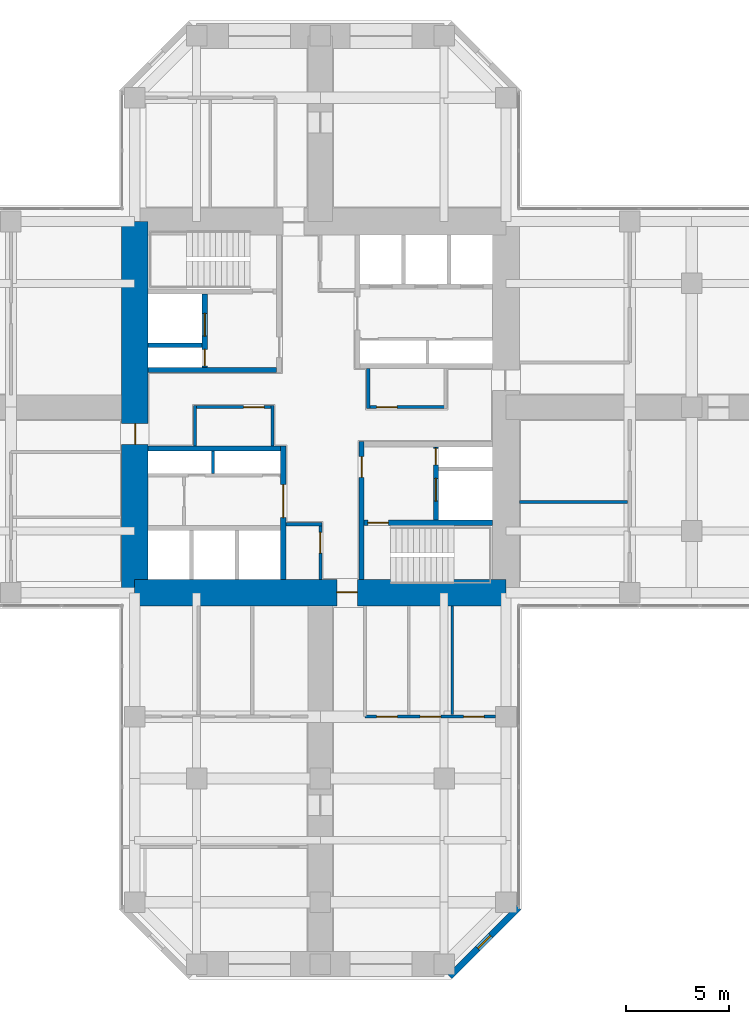
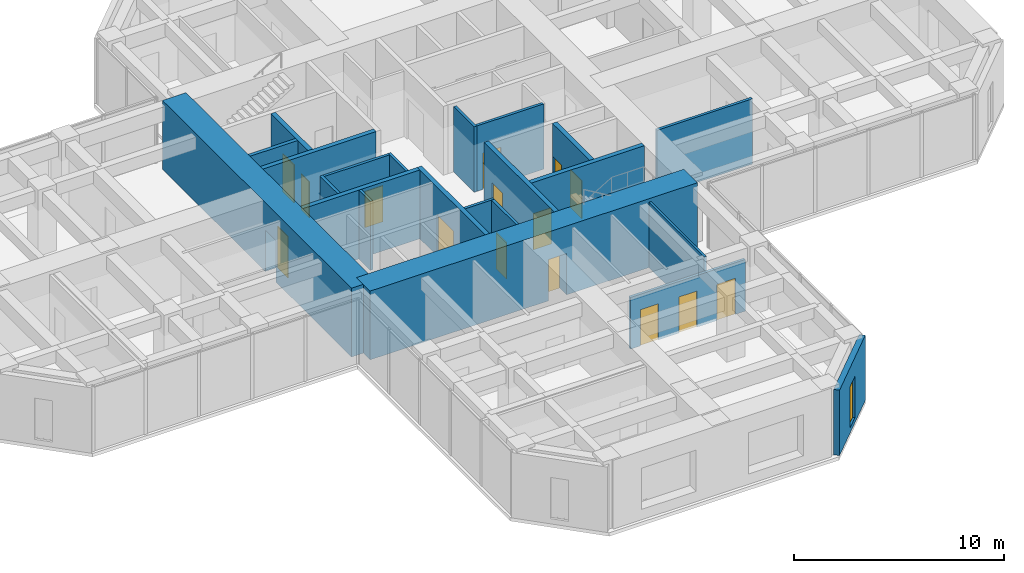
# One storey, part 9 of 12: 22 walls, 15 doors, 1 window, 16 openings.
"""IFC4 building model written with IfcOpenShell, lengths in metres."""

from ifc_helpers import new_model, si_unit, direction, frame, frame_2d, origin, place, context, subcontext, project, spatial, rectangle, hollow_rectangle, extrude, material, layer, layer_set, constituent, constituent_set, type_object, element, fill, save


model = new_model("IFC4")

# Units and contexts
model_context = context("Model", 3, precision=1e-05, world=origin(), true_north=direction((0.0, 1.0)))
body_context = subcontext(model_context, "Body", "Model", "MODEL_VIEW")
ifc_project = project(units=[si_unit("LENGTHUNIT", "METRE"), si_unit("AREAUNIT", "SQUARE_METRE"), si_unit("VOLUMEUNIT", "CUBIC_METRE"), si_unit("PLANEANGLEUNIT", "RADIAN"), si_unit("MASSUNIT", "GRAM", prefix="KILO")], contexts=[model_context])

# Site, building, storey
site_placement = place(None, origin())
site = spatial("IfcSite", under=ifc_project, at=site_placement, CompositionType="ELEMENT")
building_placement = place(site_placement, origin())
building = spatial("IfcBuilding", under=site, at=building_placement, Name="Torre Cruceta", CompositionType="ELEMENT")
storey_placement = place(building_placement, frame((0.0, 0.0, 136.5)))
storey = spatial("IfcBuildingStorey", under=building, at=storey_placement, Name="L33", CompositionType="ELEMENT", Elevation=136.5)

# Wall
ifc_material_1 = material(Name="Concrete G60 (fck 60 MPa)", Category="concrete")
ifc_layer_1 = layer(ifc_material_1, 0.25)
ifc_layer_set_1 = layer_set([ifc_layer_1], Name="Concrete G60 (fck 60 MPa)")
wall_type_1 = type_object("IfcWallType", Name="CORE INNER WALL 250 G60", PredefinedType="SHEAR", material=ifc_layer_set_1)
wall_1_placement = place(storey_placement, frame((-2.125, 1.800048828125, 0.0), z_axis=(0.0, 0.0, 1.0), x_axis=(-1.0, 0.0, 0.0)))
element("IfcWall", 1, at=wall_1_placement, inside=storey, type_object=wall_type_1, Name="CW4 L33 NW-CV", PredefinedType="SHEAR", context=body_context, shape_type="SweptSolid", body=[
    extrude(rectangle(XDim=6.22509765625, YDim=0.25, at=frame_2d((3.112548828125, 0.0))), origin(), (0.0, 0.0, 1.0), 4.0),
])

# Wall, openings, doors
wall_2_placement = place(storey_placement, frame((-5.60009765625, 1.925048828125, 0.0), z_axis=(0.0, 0.0, 1.0), x_axis=(0.0, 1.0, 0.0)))
wall_2 = element("IfcWall", 2, at=wall_2_placement, inside=storey, type_object=wall_type_1, Name="CW4 L33 NW-FU", PredefinedType="SHEAR", context=body_context, shape_type="SweptSolid", body=[
    extrude(rectangle(XDim=3.550048828125, YDim=0.25, at=frame_2d((1.77490234375, 0.0))), origin(), (0.0, 0.0, 1.0), 4.0),
])
opening_1_placement = place(wall_2_placement, frame((1.52490234375, 0.0, 0.0)))
opening_1 = element("IfcOpeningElement", 3, at=opening_1_placement, cuts=wall_2, Name="Opening LD1", PredefinedType="OPENING", context=body_context, shape_type="SweptSolid", body=[
    extrude(rectangle(XDim=1.10009765625, YDim=2.199951171875, at=frame_2d((0.550048828125, 1.10009765625))), frame((0.0, 0.135009765625, 0.0), z_axis=(0.0, -1.0, 0.0), x_axis=(1.0, 0.0, 0.0)), (0.0, 0.0, 1.0), 0.27001953125),
])
opening_2_placement = place(wall_2_placement, frame((0.074951171875, 0.0, 0.0)))
opening_2 = element("IfcOpeningElement", 4, at=opening_2_placement, cuts=wall_2, Name="Opening D5", PredefinedType="OPENING", context=body_context, shape_type="SweptSolid", body=[
    extrude(rectangle(XDim=0.800048828125, YDim=2.10009765625, at=frame_2d((0.39990234375, 1.050048828125))), frame((0.0, 0.135009765625, 0.0), z_axis=(0.0, -1.0, 0.0), x_axis=(1.0, 0.0, 0.0)), (0.0, 0.0, 1.0), 0.27001953125),
])
ifc_material_2 = material(Name="Stainless steel 1.4401", Category="steel")
door_type_1 = type_object("IfcDoorType", Name="LIFT LANDING DOOR 1100X2200", OperationType="DOUBLE_DOOR_SLIDING", PredefinedType="DOOR", material=ifc_material_2)
door_1_placement = place(opening_1_placement, origin())
door_1 = element("IfcDoor", 5, at=door_1_placement, inside=storey, type_object=door_type_1, Name="Lift landing door FL1", OperationType="DOUBLE_DOOR_SLIDING", OverallHeight=2.199951171875, OverallWidth=1.10009765625, PredefinedType="DOOR", context=body_context, shape_type="SweptSolid", body=[
    extrude(rectangle(XDim=1.10009765625, YDim=2.199951171875, at=frame_2d((0.550048828125, 1.10009765625))), frame((0.0, 0.02490234375, 0.0), z_axis=(0.0, -1.0, 0.0), x_axis=(1.0, 0.0, 0.0)), (0.0, 0.0, 1.0), 0.050048828125),
])
fill(opening_1, door_1)
ifc_material_3 = material(Name="Steel DX51D", Category="steel")
ifc_constituent_1 = constituent(ifc_material_3, Name="Leaf and frame")
ifc_material_4 = material(Name="Polyester powder coating", Category="paint")
ifc_constituent_2 = constituent(ifc_material_4, Name="Finish")
ifc_constituent_set_1 = constituent_set(constituents=[ifc_constituent_1, ifc_constituent_2], Name="Steel fire door")
door_type_2 = type_object("IfcDoorType", Name="RISER ACCESS DOOR 800X2100", OperationType="SINGLE_SWING_LEFT", PredefinedType="DOOR", material=ifc_constituent_set_1)
door_2_placement = place(opening_2_placement, origin())
door_2 = element("IfcDoor", 6, at=door_2_placement, inside=storey, type_object=door_type_2, Name="D5 L33 NW-RISER", OperationType="SINGLE_SWING_LEFT", OverallHeight=2.10009765625, OverallWidth=0.800048828125, PredefinedType="DOOR", context=body_context, shape_type="SweptSolid", body=[
    extrude(rectangle(XDim=0.800048828125, YDim=2.10009765625, at=frame_2d((0.39990234375, 1.050048828125))), frame((0.0, 0.02490234375, 0.0), z_axis=(0.0, -1.0, 0.0), x_axis=(1.0, 0.0, 0.0)), (0.0, 0.0, 1.0), 0.050048828125),
])
fill(opening_2, door_2)

# Wall, opening, door
wall_3_placement = place(storey_placement, frame((-1.800048828125, -1.875, 0.0), z_axis=(0.0, 0.0, 1.0), x_axis=(0.0, -1.0, 0.0)))
wall_3 = element("IfcWall", 7, at=wall_3_placement, inside=storey, type_object=wall_type_1, Name="CW4 L33 SW-CU", PredefinedType="SHEAR", context=body_context, shape_type="SweptSolid", body=[
    extrude(rectangle(XDim=6.47509765625, YDim=0.25, at=frame_2d((3.237548828125, 0.0))), origin(), (0.0, 0.0, 1.0), 4.0),
])
opening_3_placement = place(wall_3_placement, frame((1.875, 0.0, 0.0)))
opening_3 = element("IfcOpeningElement", 8, at=opening_3_placement, cuts=wall_3, Name="Opening D15", PredefinedType="OPENING", context=body_context, shape_type="SweptSolid", body=[
    extrude(rectangle(XDim=1.60009765625, YDim=2.39990234375, at=frame_2d((0.800048828125, 1.199951171875))), frame((0.0, 0.135009765625, 0.0), z_axis=(0.0, -1.0, 0.0), x_axis=(1.0, 0.0, 0.0)), (0.0, 0.0, 1.0), 0.27001953125),
])
ifc_material_5 = material(Name="Steel DX51D", Category="steel")
ifc_constituent_3 = constituent(ifc_material_5, Name="Leaf and frame")
ifc_material_6 = material(Name="Polyester powder coating", Category="paint")
ifc_constituent_4 = constituent(ifc_material_6, Name="Finish")
ifc_constituent_set_2 = constituent_set(constituents=[ifc_constituent_3, ifc_constituent_4], Name="Steel fire door")
door_type_3 = type_object("IfcDoorType", Name="CORE ROOM DOUBLE DOOR 1600X2400", OperationType="DOUBLE_DOOR_SINGLE_SWING", PredefinedType="DOOR", material=ifc_constituent_set_2)
door_3_placement = place(opening_3_placement, frame((1.60009765625, 0.0, 0.0), z_axis=(0.0, 0.0, 1.0), x_axis=(-1.0, 0.0, 0.0)))
door_3 = element("IfcDoor", 9, at=door_3_placement, inside=storey, type_object=door_type_3, Name="D15 L33 SW-LOBBY", OperationType="DOUBLE_DOOR_SINGLE_SWING", OverallHeight=2.39990234375, OverallWidth=1.60009765625, PredefinedType="DOOR", context=body_context, shape_type="SweptSolid", body=[
    extrude(rectangle(XDim=1.60009765625, YDim=2.39990234375, at=frame_2d((0.800048828125, 1.199951171875))), frame((0.0, 0.025146484375, 0.0), z_axis=(0.0, -1.0, 0.0), x_axis=(1.0, 0.0, 0.0)), (0.0, 0.0, 1.0), 0.050048828125),
])
fill(opening_3, door_3)

# Wall
wall_4_placement = place(storey_placement, frame((-1.925048828125, -2.0, 0.0), z_axis=(0.0, 0.0, 1.0), x_axis=(-1.0, 0.0, 0.0)))
element("IfcWall", 10, at=wall_4_placement, inside=storey, type_object=wall_type_1, Name="CW4 L33 SW-CV", PredefinedType="SHEAR", context=body_context, shape_type="SweptSolid", body=[
    extrude(rectangle(XDim=6.425048828125, YDim=0.25, at=frame_2d((3.21240234375, 0.0))), origin(), (0.0, 0.0, 1.0), 4.0),
])

# Wall, opening, door
wall_5_placement = place(storey_placement, frame((2.0, -1.675048828125, 0.0), z_axis=(0.0, 0.0, 1.0), x_axis=(0.0, -1.0, 0.0)))
wall_5 = element("IfcWall", 11, at=wall_5_placement, inside=storey, type_object=wall_type_1, Name="CW4 L33 SE-CU", PredefinedType="SHEAR", context=body_context, shape_type="SweptSolid", body=[
    extrude(rectangle(XDim=6.675048828125, YDim=0.25, at=frame_2d((3.33740234375, 0.0))), origin(), (0.0, 0.0, 1.0), 4.0),
])
opening_4_placement = place(wall_5_placement, frame((0.72509765625, 0.0, 0.0)))
opening_4 = element("IfcOpeningElement", 12, at=opening_4_placement, cuts=wall_5, Name="Opening D3", PredefinedType="OPENING", context=body_context, shape_type="SweptSolid", body=[
    extrude(rectangle(XDim=1.0, YDim=2.10009765625, at=frame_2d((0.5, 1.050048828125))), frame((0.0, 0.135009765625, 0.0), z_axis=(0.0, -1.0, 0.0), x_axis=(1.0, 0.0, 0.0)), (0.0, 0.0, 1.0), 0.27001953125),
])
ifc_material_7 = material(Name="Steel DX51D", Category="steel")
ifc_constituent_5 = constituent(ifc_material_7, Name="Leaf and frame")
ifc_material_8 = material(Name="Polyester powder coating", Category="paint")
ifc_constituent_6 = constituent(ifc_material_8, Name="Finish")
ifc_constituent_set_3 = constituent_set(constituents=[ifc_constituent_5, ifc_constituent_6], Name="Steel fire door")
door_type_4 = type_object("IfcDoorType", Name="FIRE DOOR 1000X2100", OperationType="SINGLE_SWING_LEFT", PredefinedType="DOOR", material=ifc_constituent_set_3)
door_4_placement = place(opening_4_placement, origin())
door_4 = element("IfcDoor", 13, at=door_4_placement, inside=storey, type_object=door_type_4, Name="D3 L33 SE-LOBBY", OperationType="SINGLE_SWING_LEFT", OverallHeight=2.10009765625, OverallWidth=1.0, PredefinedType="DOOR", context=body_context, shape_type="SweptSolid", body=[
    extrude(rectangle(XDim=1.0, YDim=2.10009765625, at=frame_2d((0.5, 1.050048828125))), frame((0.0, 0.02490234375, 0.0), z_axis=(0.0, -1.0, 0.0), x_axis=(1.0, 0.0, 0.0)), (0.0, 0.0, 1.0), 0.050048828125),
])
fill(opening_4, door_4)

wall_6_placement = place(storey_placement, frame((2.125, -5.60009765625, 0.0), z_axis=(0.0, 0.0, 1.0), x_axis=(1.0, 0.0, 0.0)))
wall_6 = element("IfcWall", 14, at=wall_6_placement, inside=storey, type_object=wall_type_1, Name="CW4 L33 SE-SV", PredefinedType="SHEAR", context=body_context, shape_type="SweptSolid", body=[
    extrude(rectangle(XDim=6.22509765625, YDim=0.25, at=frame_2d((3.112548828125, 0.0))), origin(), (0.0, 0.0, 1.0), 4.0),
])
opening_5_placement = place(wall_6_placement, frame((0.175048828125, 0.0, 0.0)))
opening_5 = element("IfcOpeningElement", 15, at=opening_5_placement, cuts=wall_6, Name="Opening D3", PredefinedType="OPENING", context=body_context, shape_type="SweptSolid", body=[
    extrude(rectangle(XDim=1.0, YDim=2.10009765625, at=frame_2d((0.5, 1.050048828125))), frame((0.0, 0.135009765625, 0.0), z_axis=(0.0, -1.0, 0.0), x_axis=(1.0, 0.0, 0.0)), (0.0, 0.0, 1.0), 0.27001953125),
])
door_5_placement = place(opening_5_placement, frame((1.0, 0.0, 0.0), z_axis=(0.0, 0.0, 1.0), x_axis=(-1.0, 0.0, 0.0)))
door_5 = element("IfcDoor", 16, at=door_5_placement, inside=storey, type_object=door_type_4, Name="D3 L33 SE-STAIR", OperationType="SINGLE_SWING_RIGHT", OverallHeight=2.10009765625, OverallWidth=1.0, PredefinedType="DOOR", context=body_context, shape_type="SweptSolid", body=[
    extrude(rectangle(XDim=1.0, YDim=2.10009765625, at=frame_2d((0.5, 1.050048828125))), frame((0.0, 0.025146484375, 0.0), z_axis=(0.0, -1.0, 0.0), x_axis=(1.0, 0.0, 0.0)), (0.0, 0.0, 1.0), 0.050048828125),
])
fill(opening_5, door_5)

# Wall, openings, doors
wall_7_placement = place(storey_placement, frame((5.60009765625, -1.925048828125, 0.0), z_axis=(0.0, 0.0, 1.0), x_axis=(0.0, -1.0, 0.0)))
wall_7 = element("IfcWall", 17, at=wall_7_placement, inside=storey, type_object=wall_type_1, Name="CW4 L33 SE-FU", PredefinedType="SHEAR", context=body_context, shape_type="SweptSolid", body=[
    extrude(rectangle(XDim=3.550048828125, YDim=0.25, at=frame_2d((1.77490234375, 0.0))), origin(), (0.0, 0.0, 1.0), 4.0),
])
opening_6_placement = place(wall_7_placement, frame((1.52490234375, 0.0, 0.0)))
opening_6 = element("IfcOpeningElement", 18, at=opening_6_placement, cuts=wall_7, Name="Opening LD1", PredefinedType="OPENING", context=body_context, shape_type="SweptSolid", body=[
    extrude(rectangle(XDim=1.10009765625, YDim=2.199951171875, at=frame_2d((0.550048828125, 1.10009765625))), frame((0.0, 0.135009765625, 0.0), z_axis=(0.0, -1.0, 0.0), x_axis=(1.0, 0.0, 0.0)), (0.0, 0.0, 1.0), 0.27001953125),
])
opening_7_placement = place(wall_7_placement, frame((0.074951171875, 0.0, 0.0)))
opening_7 = element("IfcOpeningElement", 19, at=opening_7_placement, cuts=wall_7, Name="Opening D5", PredefinedType="OPENING", context=body_context, shape_type="SweptSolid", body=[
    extrude(rectangle(XDim=0.800048828125, YDim=2.10009765625, at=frame_2d((0.39990234375, 1.050048828125))), frame((0.0, 0.135009765625, 0.0), z_axis=(0.0, -1.0, 0.0), x_axis=(1.0, 0.0, 0.0)), (0.0, 0.0, 1.0), 0.27001953125),
])
door_6_placement = place(opening_6_placement, origin())
door_6 = element("IfcDoor", 20, at=door_6_placement, inside=storey, type_object=door_type_1, Name="Lift landing door FL2", OperationType="DOUBLE_DOOR_SLIDING", OverallHeight=2.199951171875, OverallWidth=1.10009765625, PredefinedType="DOOR", context=body_context, shape_type="SweptSolid", body=[
    extrude(rectangle(XDim=1.10009765625, YDim=2.199951171875, at=frame_2d((0.550048828125, 1.10009765625))), frame((0.0, 0.02490234375, 0.0), z_axis=(0.0, -1.0, 0.0), x_axis=(1.0, 0.0, 0.0)), (0.0, 0.0, 1.0), 0.050048828125),
])
fill(opening_6, door_6)
door_7_placement = place(opening_7_placement, origin())
door_7 = element("IfcDoor", 21, at=door_7_placement, inside=storey, type_object=door_type_2, Name="D5 L33 SE-RISER", OperationType="SINGLE_SWING_LEFT", OverallHeight=2.10009765625, OverallWidth=0.800048828125, PredefinedType="DOOR", context=body_context, shape_type="SweptSolid", body=[
    extrude(rectangle(XDim=0.800048828125, YDim=2.10009765625, at=frame_2d((0.39990234375, 1.050048828125))), frame((0.0, 0.02490234375, 0.0), z_axis=(0.0, -1.0, 0.0), x_axis=(1.0, 0.0, 0.0)), (0.0, 0.0, 1.0), 0.050048828125),
])
fill(opening_7, door_7)

# Wall, opening, door
ifc_material_9 = material(Name="Concrete G60 (fck 60 MPa)", Category="concrete")
ifc_layer_2 = layer(ifc_material_9, 1.300048828125)
ifc_layer_set_2 = layer_set([ifc_layer_2], Name="Concrete G60 (fck 60 MPa)")
wall_type_2 = type_object("IfcWallType", Name="CORE WALL 1300 G60", PredefinedType="SHEAR", material=ifc_layer_set_2)
wall_8_placement = place(storey_placement, frame((-9.0, -9.0, 0.0), z_axis=(0.0, 0.0, 1.0), x_axis=(1.0, 0.0, 0.0)))
wall_8 = element("IfcWall", 22, at=wall_8_placement, inside=storey, type_object=wall_type_2, Name="CW1 L33 CW-S", PredefinedType="SHEAR", context=body_context, shape_type="SweptSolid", body=[
    extrude(rectangle(XDim=18.0, YDim=1.300048828125, at=frame_2d((9.0, 0.0))), origin(), (0.0, 0.0, 1.0), 4.0),
])
opening_8_placement = place(wall_8_placement, frame((9.800048828125, 0.0, 0.0)))
opening_8 = element("IfcOpeningElement", 23, at=opening_8_placement, cuts=wall_8, Name="Opening D4", PredefinedType="OPENING", context=body_context, shape_type="SweptSolid", body=[
    extrude(rectangle(XDim=1.0, YDim=2.39990234375, at=frame_2d((0.5, 1.199951171875))), frame((0.0, 0.659912109375, 0.0), z_axis=(0.0, -1.0, 0.0), x_axis=(1.0, 0.0, 0.0)), (0.0, 0.0, 1.0), 1.320068359375),
])
ifc_material_10 = material(Name="Steel DX51D", Category="steel")
ifc_constituent_7 = constituent(ifc_material_10, Name="Leaf and frame")
ifc_material_11 = material(Name="Polyester powder coating", Category="paint")
ifc_constituent_8 = constituent(ifc_material_11, Name="Finish")
ifc_constituent_set_4 = constituent_set(constituents=[ifc_constituent_7, ifc_constituent_8], Name="Steel fire door")
door_type_5 = type_object("IfcDoorType", Name="CORE ARM DOOR 1000X2400", OperationType="SINGLE_SWING_RIGHT", PredefinedType="DOOR", material=ifc_constituent_set_4)
door_8_placement = place(opening_8_placement, frame((1.0, 0.0, 0.0), z_axis=(0.0, 0.0, 1.0), x_axis=(-1.0, 0.0, 0.0)))
door_8 = element("IfcDoor", 24, at=door_8_placement, inside=storey, type_object=door_type_5, Name="D4 L33 CW-S", OperationType="SINGLE_SWING_RIGHT", OverallHeight=2.39990234375, OverallWidth=1.0, PredefinedType="DOOR", context=body_context, shape_type="SweptSolid", body=[
    extrude(rectangle(XDim=1.0, YDim=2.39990234375, at=frame_2d((0.5, 1.199951171875))), frame((0.0, -0.005126953125, 0.0), z_axis=(0.0, -1.0, 0.0), x_axis=(1.0, 0.0, 0.0)), (0.0, 0.0, 1.0), 0.050048828125),
])
fill(opening_8, door_8)

wall_9_placement = place(storey_placement, frame((-9.0, 9.0, 0.0), z_axis=(0.0, 0.0, 1.0), x_axis=(0.0, -1.0, 0.0)))
wall_9 = element("IfcWall", 25, at=wall_9_placement, inside=storey, type_object=wall_type_2, Name="CW1 L33 CW-W", PredefinedType="SHEAR", context=body_context, shape_type="SweptSolid", body=[
    extrude(rectangle(XDim=18.0, YDim=1.300048828125, at=frame_2d((9.0, 0.0))), origin(), (0.0, 0.0, 1.0), 4.0),
])
opening_9_placement = place(wall_9_placement, frame((9.800048828125, 0.0, 0.0)))
opening_9 = element("IfcOpeningElement", 26, at=opening_9_placement, cuts=wall_9, Name="Opening D4", PredefinedType="OPENING", context=body_context, shape_type="SweptSolid", body=[
    extrude(rectangle(XDim=1.0, YDim=2.39990234375, at=frame_2d((0.5, 1.199951171875))), frame((0.0, 0.659912109375, 0.0), z_axis=(0.0, -1.0, 0.0), x_axis=(1.0, 0.0, 0.0)), (0.0, 0.0, 1.0), 1.320068359375),
])
door_9_placement = place(opening_9_placement, frame((1.0, 0.0, 0.0), z_axis=(0.0, 0.0, 1.0), x_axis=(-1.0, 0.0, 0.0)))
door_9 = element("IfcDoor", 27, at=door_9_placement, inside=storey, type_object=door_type_5, Name="D4 L33 CW-W", OperationType="SINGLE_SWING_RIGHT", OverallHeight=2.39990234375, OverallWidth=1.0, PredefinedType="DOOR", context=body_context, shape_type="SweptSolid", body=[
    extrude(rectangle(XDim=1.0, YDim=2.39990234375, at=frame_2d((0.5, 1.199951171875))), frame((0.0, -0.005126953125, 0.0), z_axis=(0.0, -1.0, 0.0), x_axis=(1.0, 0.0, 0.0)), (0.0, 0.0, 1.0), 0.050048828125),
])
fill(opening_9, door_9)

# Wall, opening, window
ifc_material_12 = material(Name="Concrete G30 (fck 30 MPa)", Category="concrete")
ifc_layer_3 = layer(ifc_material_12, 0.300048828125)
ifc_layer_set_3 = layer_set([ifc_layer_3], Name="Concrete G30 (fck 30 MPa)")
wall_type_3 = type_object("IfcWallType", Name="EXPOSED CONCRETE FACADE WALL 300", PredefinedType="SOLIDWALL", material=ifc_layer_set_3)
wall_10_placement = place(storey_placement, frame((6.27685546875, -27.60009765625, 0.0), z_axis=(0.0, 0.0, 1.0), x_axis=(0.707106781187, 0.707106781187, 0.0)))
wall_10 = element("IfcWall", 28, at=wall_10_placement, inside=storey, type_object=wall_type_3, Name="EW1 facade wall L33 S chamfer 18", PredefinedType="SOLIDWALL", context=body_context, shape_type="SweptSolid", body=[
    extrude(rectangle(XDim=4.72802734375, YDim=0.300048828125, at=frame_2d((2.364013671875, 0.0))), origin(), (0.0, 0.0, 1.0), 3.800048828125),
])
opening_10_placement = place(wall_10_placement, frame((1.9140625, 0.0, 0.300048828125)))
opening_10 = element("IfcOpeningElement", 29, at=opening_10_placement, cuts=wall_10, Name="Opening WN5", PredefinedType="OPENING", context=body_context, shape_type="SweptSolid", body=[
    extrude(rectangle(XDim=0.89990234375, YDim=2.39990234375, at=frame_2d((0.449951171875, 1.199951171875))), frame((0.0, 0.159912109375, 0.0), z_axis=(0.0, -1.0, 0.0), x_axis=(1.0, 0.0, 0.0)), (0.0, 0.0, 1.0), 0.320068359375),
])
ifc_material_13 = material(Name="Aluminium window frame", Category="aluminium")
ifc_constituent_9 = constituent(ifc_material_13, Name="Frame")
ifc_material_14 = material(Name="Laminated insulating glass unit, low-iron clear", Category="glass")
ifc_constituent_10 = constituent(ifc_material_14, Name="Glazing")
ifc_constituent_set_5 = constituent_set(constituents=[ifc_constituent_9, ifc_constituent_10], Name="Aluminium window")
window_type = type_object("IfcWindowType", Name="CHAMFER SLOT WINDOW 900X2400", PartitioningType="SINGLE_PANEL", PredefinedType="WINDOW", material=ifc_constituent_set_5)
window_placement = place(opening_10_placement, origin())
window = element("IfcWindow", 30, at=window_placement, inside=storey, type_object=window_type, Name="WN5 L33 S 1", OverallHeight=2.39990234375, OverallWidth=0.89990234375, PartitioningType="SINGLE_PANEL", PredefinedType="WINDOW", context=body_context, shape_type="SweptSolid", body=[
    extrude(hollow_rectangle(XDim=0.89990234375, YDim=2.39990234375, WallThickness=0.06005859375, at=frame_2d((0.449951171875, 1.199951171875))), frame((0.0, 0.030029296875, 0.0), z_axis=(0.0, -1.0, 0.0), x_axis=(1.0, 0.0, 0.0)), (0.0, 0.0, 1.0), 0.06005859375),
    extrude(rectangle(XDim=0.77880859375, YDim=2.27880859375, at=frame_2d((0.449951171875, 1.199951171875))), frame((0.0, 0.030029296875, 0.0), z_axis=(0.0, -1.0, 0.0), x_axis=(1.0, 0.0, 0.0)), (0.0, 0.0, 1.0), 0.06005859375),
])
fill(opening_10, window)

# Wall
ifc_material_15 = material(Name="Concrete G35 (fck 35 MPa)", Category="concrete")
ifc_layer_4 = layer(ifc_material_15, 0.199951171875)
ifc_layer_set_4 = layer_set([ifc_layer_4], Name="Concrete G35 (fck 35 MPa)")
wall_type_4 = type_object("IfcWallType", Name="LIFT SHAFT WALL 200", PredefinedType="PARTITIONING", material=ifc_layer_set_4)
wall_11_placement = place(storey_placement, frame((-5.72509765625, 3.0, 0.0), z_axis=(0.0, 0.0, 1.0), x_axis=(-1.0, 0.0, 0.0)))
element("IfcWall", 31, at=wall_11_placement, inside=storey, type_object=wall_type_4, Name="SW1 L33 NW-FR", PredefinedType="PARTITIONING", context=body_context, shape_type="SweptSolid", body=[
    extrude(rectangle(XDim=2.625, YDim=0.199951171875, at=frame_2d((1.3125, 0.0))), origin(), (0.0, 0.0, 1.0), 4.0),
])

# Wall, opening, door
ifc_material_16 = material(Name="Plasterboard on steel studs", Category="steel")
ifc_layer_5 = layer(ifc_material_16, 0.14990234375)
ifc_layer_set_5 = layer_set([ifc_layer_5], Name="Plasterboard on steel studs")
wall_type_5 = type_object("IfcWallType", Name="PARTITION 150", PredefinedType="PARTITIONING", material=ifc_layer_set_5)
wall_12_placement = place(storey_placement, frame((2.324951171875, 0.0, 0.0), z_axis=(0.0, 0.0, 1.0), x_axis=(1.0, 0.0, 0.0)))
wall_12 = element("IfcWall", 32, at=wall_12_placement, inside=storey, type_object=wall_type_5, Name="PT1 L33-CORE-LEGE-N-W1", PredefinedType="PARTITIONING", context=body_context, shape_type="SweptSolid", body=[
    extrude(rectangle(XDim=3.75, YDim=0.14990234375, at=frame_2d((1.875, 0.0))), origin(), (0.0, 0.0, 1.0), 3.800048828125),
])
opening_11_placement = place(wall_12_placement, frame((0.39990234375, 0.0, 0.0)))
opening_11 = element("IfcOpeningElement", 33, at=opening_11_placement, cuts=wall_12, Name="Opening D3", PredefinedType="OPENING", context=body_context, shape_type="SweptSolid", body=[
    extrude(rectangle(XDim=1.0, YDim=2.10009765625, at=frame_2d((0.5, 1.050048828125))), frame((0.0, 0.0849609375, 0.0), z_axis=(0.0, -1.0, 0.0), x_axis=(1.0, 0.0, 0.0)), (0.0, 0.0, 1.0), 0.169921875),
])
door_10_placement = place(opening_11_placement, origin())
door_10 = element("IfcDoor", 34, at=door_10_placement, inside=storey, type_object=door_type_4, Name="D3 L33-CORE-LEGE-N-W1-D1", OperationType="SINGLE_SWING_LEFT", OverallHeight=2.10009765625, OverallWidth=1.0, PredefinedType="DOOR", context=body_context, shape_type="SweptSolid", body=[
    extrude(rectangle(XDim=1.0, YDim=2.10009765625, at=frame_2d((0.5, 1.050048828125))), frame((0.0, 0.02490234375, 0.0), z_axis=(0.0, -1.0, 0.0), x_axis=(1.0, 0.0, 0.0)), (0.0, 0.0, 1.0), 0.050048828125),
])
fill(opening_11, door_10)

# Wall
wall_13_placement = place(storey_placement, frame((2.324951171875, 1.875, 0.0), z_axis=(0.0, 0.0, 1.0), x_axis=(0.0, -1.0, 0.0)))
element("IfcWall", 35, at=wall_13_placement, inside=storey, type_object=wall_type_5, Name="PT1 L33-CORE-LEGE-N-W2", PredefinedType="PARTITIONING", context=body_context, shape_type="SweptSolid", body=[
    extrude(rectangle(XDim=1.949951171875, YDim=0.14990234375, at=frame_2d((0.97509765625, 0.0))), origin(), (0.0, 0.0, 1.0), 3.800048828125),
])

# Wall, opening, door
wall_14_placement = place(storey_placement, frame((-2.324951171875, 0.0, 0.0), z_axis=(0.0, 0.0, 1.0), x_axis=(-1.0, 0.0, 0.0)))
wall_14 = element("IfcWall", 36, at=wall_14_placement, inside=storey, type_object=wall_type_5, Name="PT1 L33-CORE-LEGW-S-W1", PredefinedType="PARTITIONING", context=body_context, shape_type="SweptSolid", body=[
    extrude(rectangle(XDim=3.75, YDim=0.14990234375, at=frame_2d((1.875, 0.0))), origin(), (0.0, 0.0, 1.0), 3.800048828125),
])
opening_12_placement = place(wall_14_placement, frame((0.39990234375, 0.0, 0.0)))
opening_12 = element("IfcOpeningElement", 37, at=opening_12_placement, cuts=wall_14, Name="Opening D3", PredefinedType="OPENING", context=body_context, shape_type="SweptSolid", body=[
    extrude(rectangle(XDim=1.0, YDim=2.10009765625, at=frame_2d((0.5, 1.050048828125))), frame((0.0, 0.0849609375, 0.0), z_axis=(0.0, -1.0, 0.0), x_axis=(1.0, 0.0, 0.0)), (0.0, 0.0, 1.0), 0.169921875),
])
door_11_placement = place(opening_12_placement, origin())
door_11 = element("IfcDoor", 38, at=door_11_placement, inside=storey, type_object=door_type_4, Name="D3 L33-CORE-LEGW-S-W1-D1", OperationType="SINGLE_SWING_LEFT", OverallHeight=2.10009765625, OverallWidth=1.0, PredefinedType="DOOR", context=body_context, shape_type="SweptSolid", body=[
    extrude(rectangle(XDim=1.0, YDim=2.10009765625, at=frame_2d((0.5, 1.050048828125))), frame((0.0, 0.02490234375, 0.0), z_axis=(0.0, -1.0, 0.0), x_axis=(1.0, 0.0, 0.0)), (0.0, 0.0, 1.0), 0.050048828125),
])
fill(opening_12, door_11)

# Walls
for number, where, z_axis, x_axis, name in (
    (39, (-2.324951171875, -1.875, 0.0), (0.0, 0.0, 1.0), (0.0, 1.0, 0.0), "PT1 L33-CORE-LEGW-S-W2"),
    (40, (-6.074951171875, 0.074951171875, 0.0), (0.0, 0.0, 1.0), (0.0, -1.0, 0.0), "PT1 L33-CORE-LEGW-S-W3"),
):
    element("IfcWall", number, at=place(storey_placement, frame(where, z_axis=z_axis, x_axis=x_axis)), inside=storey, type_object=wall_type_5, Name=name, PredefinedType="PARTITIONING", context=body_context, shape_type="SweptSolid", body=[
        extrude(rectangle(XDim=1.949951171875, YDim=0.14990234375, at=frame_2d((0.97509765625, 0.0))), origin(), (0.0, 0.0, 1.0), 3.800048828125),
    ])

# Wall, opening, door
wall_15_placement = place(storey_placement, frame((0.0, -5.675048828125, 0.0), z_axis=(0.0, 0.0, 1.0), x_axis=(0.0, -1.0, 0.0)))
wall_15 = element("IfcWall", 41, at=wall_15_placement, inside=storey, type_object=wall_type_5, Name="PT1 L33-CORE-LEGS-W-W1", PredefinedType="PARTITIONING", context=body_context, shape_type="SweptSolid", body=[
    extrude(rectangle(XDim=2.675048828125, YDim=0.14990234375, at=frame_2d((1.33740234375, 0.0))), origin(), (0.0, 0.0, 1.0), 3.800048828125),
])
opening_13_placement = place(wall_15_placement, frame((0.39990234375, 0.0, 0.0)))
opening_13 = element("IfcOpeningElement", 42, at=opening_13_placement, cuts=wall_15, Name="Opening D3", PredefinedType="OPENING", context=body_context, shape_type="SweptSolid", body=[
    extrude(rectangle(XDim=1.0, YDim=2.10009765625, at=frame_2d((0.5, 1.050048828125))), frame((0.0, 0.0849609375, 0.0), z_axis=(0.0, -1.0, 0.0), x_axis=(1.0, 0.0, 0.0)), (0.0, 0.0, 1.0), 0.169921875),
])
door_12_placement = place(opening_13_placement, frame((1.0, 0.0, 0.0), z_axis=(0.0, 0.0, 1.0), x_axis=(-1.0, 0.0, 0.0)))
door_12 = element("IfcDoor", 43, at=door_12_placement, inside=storey, type_object=door_type_4, Name="D3 L33-CORE-LEGS-W-W1-D1", OperationType="SINGLE_SWING_RIGHT", OverallHeight=2.10009765625, OverallWidth=1.0, PredefinedType="DOOR", context=body_context, shape_type="SweptSolid", body=[
    extrude(rectangle(XDim=1.0, YDim=2.10009765625, at=frame_2d((0.5, 1.050048828125))), frame((0.0, 0.025146484375, 0.0), z_axis=(0.0, -1.0, 0.0), x_axis=(1.0, 0.0, 0.0)), (0.0, 0.0, 1.0), 0.050048828125),
])
fill(opening_13, door_12)

# Walls
wall_16_placement = place(storey_placement, frame((-1.675048828125, -5.675048828125, 0.0), z_axis=(0.0, 0.0, 1.0), x_axis=(1.0, 0.0, 0.0)))
element("IfcWall", 44, at=wall_16_placement, inside=storey, type_object=wall_type_5, Name="PT1 L33-CORE-LEGS-W-W2", PredefinedType="PARTITIONING", context=body_context, shape_type="SweptSolid", body=[
    extrude(rectangle(XDim=1.75, YDim=0.14990234375, at=frame_2d((0.875, 0.0))), origin(), (0.0, 0.0, 1.0), 3.800048828125),
])
wall_17_placement = place(storey_placement, frame((9.64990234375, -4.60009765625, 0.0), z_axis=(0.0, 0.0, 1.0), x_axis=(1.0, 0.0, 0.0)))
element("IfcWall", 45, at=wall_17_placement, inside=storey, type_object=wall_type_5, Name="PT1 L33-E-BDR1", PredefinedType="PARTITIONING", context=body_context, shape_type="SweptSolid", body=[
    extrude(rectangle(XDim=5.25, YDim=0.14990234375, at=frame_2d((2.625, 0.0))), origin(), (0.0, 0.0, 1.0), 3.800048828125),
])

# Wall, openings, doors
wall_18_placement = place(storey_placement, frame((2.175048828125, -15.0, 0.0), z_axis=(0.0, 0.0, 1.0), x_axis=(1.0, 0.0, 0.0)))
wall_18 = element("IfcWall", 46, at=wall_18_placement, inside=storey, type_object=wall_type_5, Name="PT1 L33-S-BFL", PredefinedType="PARTITIONING", context=body_context, shape_type="SweptSolid", body=[
    extrude(rectangle(XDim=6.324951171875, YDim=0.14990234375, at=frame_2d((3.16259765625, 0.0))), origin(), (0.0, 0.0, 1.0), 3.0),
])
opening_14_placement = place(wall_18_placement, frame((0.55419921875, 0.0, 0.0)))
opening_14 = element("IfcOpeningElement", 47, at=opening_14_placement, cuts=wall_18, Name="Opening D3", PredefinedType="OPENING", context=body_context, shape_type="SweptSolid", body=[
    extrude(rectangle(XDim=1.0, YDim=2.10009765625, at=frame_2d((0.5, 1.050048828125))), frame((0.0, 0.0849609375, 0.0), z_axis=(0.0, -1.0, 0.0), x_axis=(1.0, 0.0, 0.0)), (0.0, 0.0, 1.0), 0.169921875),
])
opening_15_placement = place(wall_18_placement, frame((2.66259765625, 0.0, 0.0)))
opening_15 = element("IfcOpeningElement", 48, at=opening_15_placement, cuts=wall_18, Name="Opening D3", PredefinedType="OPENING", context=body_context, shape_type="SweptSolid", body=[
    extrude(rectangle(XDim=1.0, YDim=2.10009765625, at=frame_2d((0.5, 1.050048828125))), frame((0.0, 0.0849609375, 0.0), z_axis=(0.0, -1.0, 0.0), x_axis=(1.0, 0.0, 0.0)), (0.0, 0.0, 1.0), 0.169921875),
])
opening_16_placement = place(wall_18_placement, frame((4.770751953125, 0.0, 0.0)))
opening_16 = element("IfcOpeningElement", 49, at=opening_16_placement, cuts=wall_18, Name="Opening D3", PredefinedType="OPENING", context=body_context, shape_type="SweptSolid", body=[
    extrude(rectangle(XDim=1.0, YDim=2.10009765625, at=frame_2d((0.5, 1.050048828125))), frame((0.0, 0.0849609375, 0.0), z_axis=(0.0, -1.0, 0.0), x_axis=(1.0, 0.0, 0.0)), (0.0, 0.0, 1.0), 0.169921875),
])
door_13_placement = place(opening_14_placement, origin())
door_13 = element("IfcDoor", 50, at=door_13_placement, inside=storey, type_object=door_type_4, Name="D3 L33-S-BFL-D1", OperationType="SINGLE_SWING_LEFT", OverallHeight=2.10009765625, OverallWidth=1.0, PredefinedType="DOOR", context=body_context, shape_type="SweptSolid", body=[
    extrude(rectangle(XDim=1.0, YDim=2.10009765625, at=frame_2d((0.5, 1.050048828125))), frame((0.0, 0.02490234375, 0.0), z_axis=(0.0, -1.0, 0.0), x_axis=(1.0, 0.0, 0.0)), (0.0, 0.0, 1.0), 0.050048828125),
])
fill(opening_14, door_13)
door_14_placement = place(opening_15_placement, origin())
door_14 = element("IfcDoor", 51, at=door_14_placement, inside=storey, type_object=door_type_4, Name="D3 L33-S-BFL-D2", OperationType="SINGLE_SWING_LEFT", OverallHeight=2.10009765625, OverallWidth=1.0, PredefinedType="DOOR", context=body_context, shape_type="SweptSolid", body=[
    extrude(rectangle(XDim=1.0, YDim=2.10009765625, at=frame_2d((0.5, 1.050048828125))), frame((0.0, 0.02490234375, 0.0), z_axis=(0.0, -1.0, 0.0), x_axis=(1.0, 0.0, 0.0)), (0.0, 0.0, 1.0), 0.050048828125),
])
fill(opening_15, door_14)
door_15_placement = place(opening_16_placement, origin())
door_15 = element("IfcDoor", 52, at=door_15_placement, inside=storey, type_object=door_type_4, Name="D3 L33-S-BFL-D3", OperationType="SINGLE_SWING_LEFT", OverallHeight=2.10009765625, OverallWidth=1.0, PredefinedType="DOOR", context=body_context, shape_type="SweptSolid", body=[
    extrude(rectangle(XDim=1.0, YDim=2.10009765625, at=frame_2d((0.5, 1.050048828125))), frame((0.0, 0.02490234375, 0.0), z_axis=(0.0, -1.0, 0.0), x_axis=(1.0, 0.0, 0.0)), (0.0, 0.0, 1.0), 0.050048828125),
])
fill(opening_16, door_15)

# Walls
ifc_material_17 = material(Name="Concrete block masonry", Category="masonry")
ifc_layer_6 = layer(ifc_material_17, 0.14990234375)
ifc_layer_set_6 = layer_set([ifc_layer_6], Name="Concrete block masonry")
wall_type_6 = type_object("IfcWallType", Name="RISER WALL 150", PredefinedType="PARTITIONING", material=ifc_layer_set_6)
wall_19_placement = place(storey_placement, frame((-5.199951171875, -2.125, 0.0), z_axis=(0.0, 0.0, 1.0), x_axis=(0.0, -1.0, 0.0)))
element("IfcWall", 53, at=wall_19_placement, inside=storey, type_object=wall_type_6, Name="SW7 L33 SW-RU", PredefinedType="PARTITIONING", context=body_context, shape_type="SweptSolid", body=[
    extrude(rectangle(XDim=1.10009765625, YDim=0.14990234375, at=frame_2d((0.550048828125, 0.0))), origin(), (0.0, 0.0, 1.0), 4.0),
])
ifc_material_18 = material(Name="Plasterboard on steel studs", Category="steel")
ifc_layer_7 = layer(ifc_material_18, 0.1201171875)
ifc_layer_set_7 = layer_set([ifc_layer_7], Name="Plasterboard on steel studs")
wall_type_7 = type_object("IfcWallType", Name="WC PARTITION 120", PredefinedType="PLUMBINGWALL", material=ifc_layer_set_7)
wall_20_placement = place(storey_placement, frame((6.3916015625, -9.64990234375, 0.0), z_axis=(0.0, 0.0, 1.0), x_axis=(0.0, -1.0, 0.0)))
element("IfcWall", 54, at=wall_20_placement, inside=storey, type_object=wall_type_7, Name="PT5 L33-S-BDL2", PredefinedType="PLUMBINGWALL", context=body_context, shape_type="SweptSolid", body=[
    extrude(rectangle(XDim=5.25, YDim=0.1201171875, at=frame_2d((2.625, 0.0))), origin(), (0.0, 0.0, 1.0), 3.800048828125),
])

save(model, "model.ifc")
